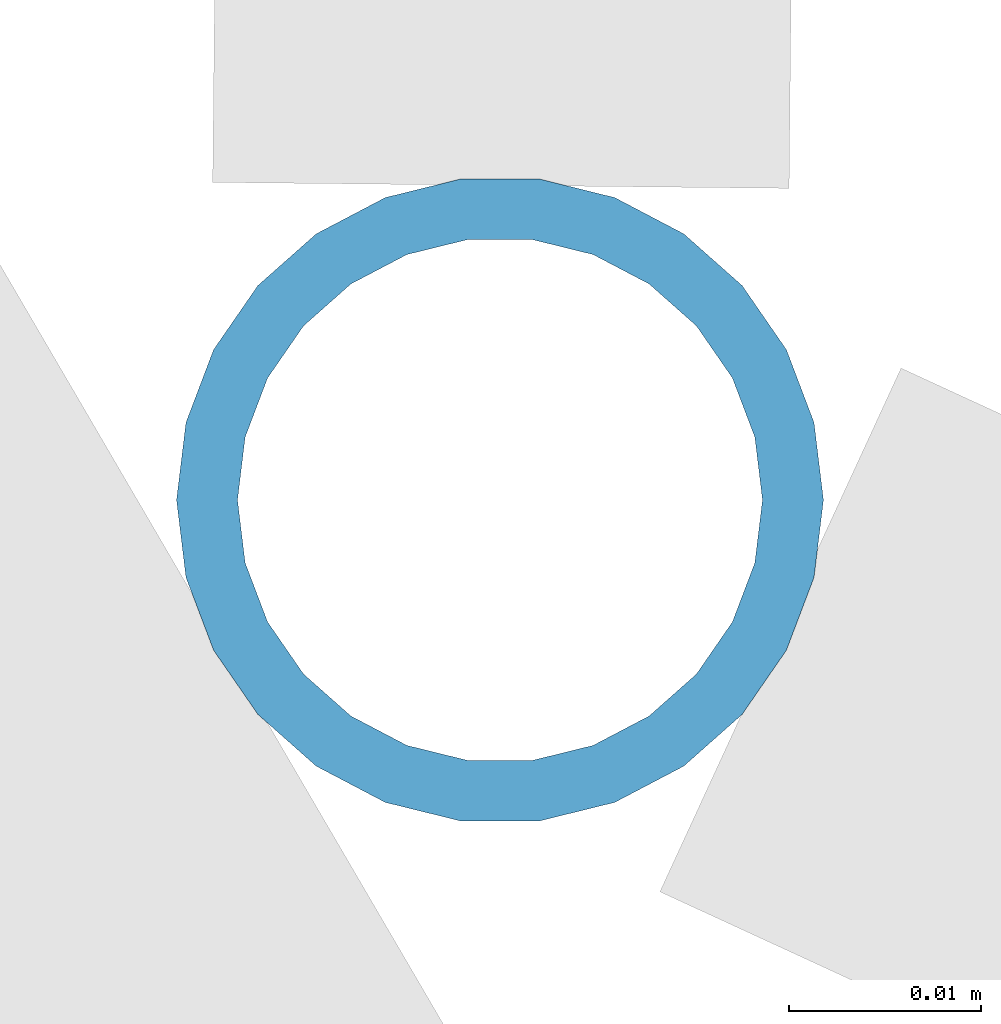
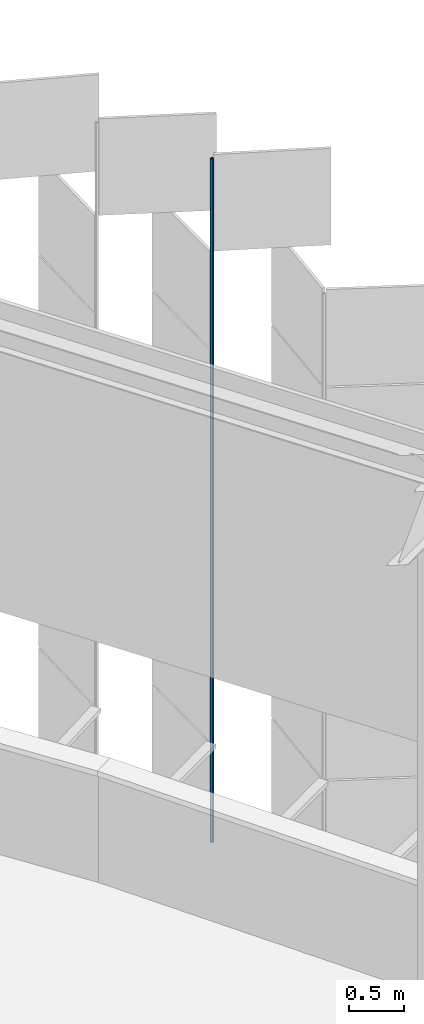
# One storey, part 325 of 483: 1 discrete accessory.
"""IFC4 building model written with IfcOpenShell, lengths in metres."""

from ifc_helpers import new_model, si_unit, direction, frame, origin, origin_2d, place, context, subcontext, project, spatial, hollow_circle, extrude, material, material_profile, profile_set, type_object, element, save


model = new_model("IFC4")

# Units and contexts
model_context = context("Model", 3, precision=1e-05, world=origin(), true_north=direction((0.0, 1.0)))
body_context = subcontext(model_context, "Body", "Model", "MODEL_VIEW")
ifc_project = project(units=[si_unit("LENGTHUNIT", "METRE"), si_unit("AREAUNIT", "SQUARE_METRE"), si_unit("VOLUMEUNIT", "CUBIC_METRE"), si_unit("PLANEANGLEUNIT", "RADIAN"), si_unit("MASSUNIT", "GRAM", prefix="KILO")], contexts=[model_context])

# Site, building, storey
site_placement = place(None, origin())
site = spatial("IfcSite", under=ifc_project, at=site_placement, CompositionType="ELEMENT")
building_placement = place(site_placement, origin())
building = spatial("IfcBuilding", under=site, at=building_placement, Name="Parallax Yard Mobility Hub", CompositionType="ELEMENT")
storey_placement = place(building_placement, frame((0.0, 0.0, 13.199951171875)))
storey = spatial("IfcBuildingStorey", under=building, at=storey_placement, Name="L04", CompositionType="ELEMENT", Elevation=13.199951171875)

# Discrete accessory
ifc_material = material(Name="Steel ASTM A500 Gr C, hot-dip galvanised", Category="steel")
ifc_material_profile = material_profile(ifc_material, hollow_circle(Radius=0.016845703125, WallThickness=0.003173828125, at=origin_2d()), Name="CHS 33.7x3.2")
ifc_profile_set = profile_set([ifc_material_profile], Name="Steel ASTM A500 Gr C, hot-dip galvanised")
discrete_accessory_type = type_object("IfcDiscreteAccessoryType", Name="Hinge post CHS 33.7x3.2", PredefinedType="BRACKET", material=ifc_profile_set)
discrete_accessory_placement = place(storey_placement, frame((218.2763671875, 117.34375, 0.0), z_axis=(0.0, 0.0, 1.0), x_axis=(1.0, 0.0, 0.0)))
element("IfcDiscreteAccessory", 1, at=discrete_accessory_placement, inside=storey, type_object=discrete_accessory_type, Name="Hinge post bay 44.4 level L04", PredefinedType="BRACKET", context=body_context, shape_type="SweptSolid", body=[
    extrude(hollow_circle(Radius=0.016845703125, WallThickness=0.003173828125, at=origin_2d()), origin(), (0.0, 0.0, 1.0), 7.650146484375),
])

save(model, "model.ifc")
